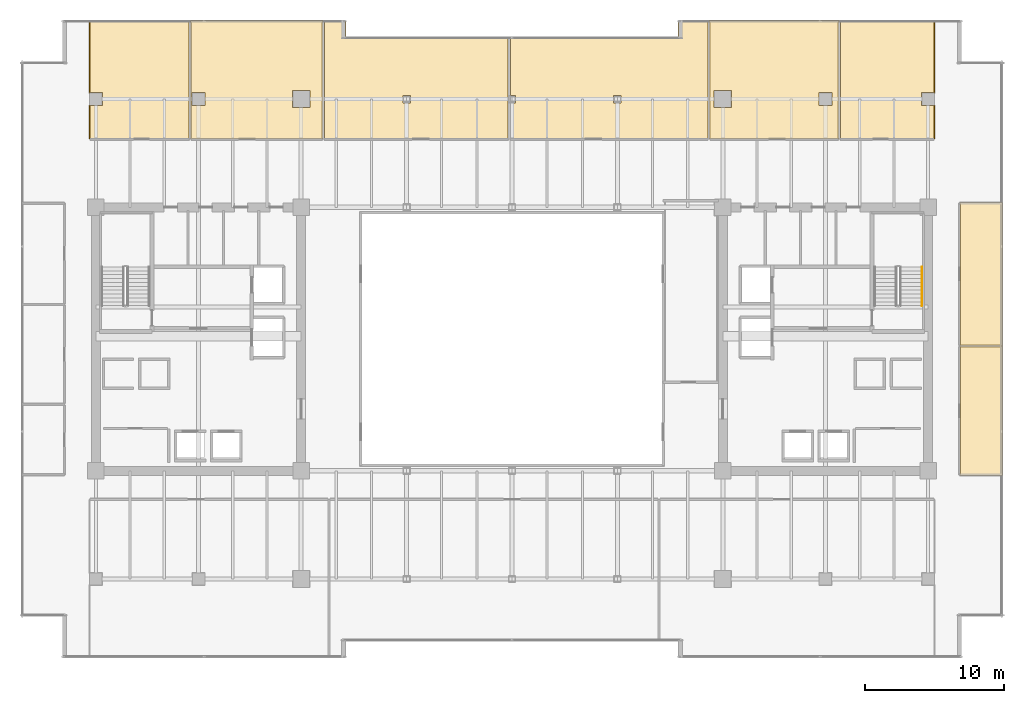
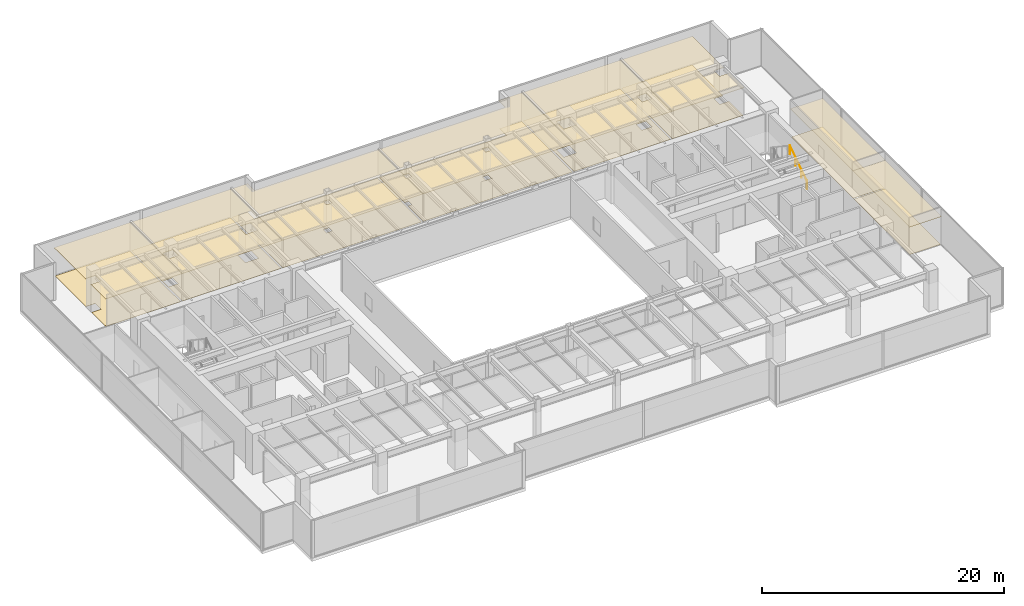
# One storey, part 33 of 33: 16 coverings, 1 railing.
"""IFC4 building model written with IfcOpenShell, lengths in metres."""

from ifc_helpers import new_model, si_unit, direction, frame, origin, origin_2d, place, context, subcontext, project, spatial, polyline, circle, outline, extrude, source, transform, mapped, material, layer, layer_set, type_object, type_shapes, element, save


model = new_model("IFC4")

# Units and contexts
model_context = context("Model", 3, precision=1e-05, world=origin(), true_north=direction((0.0, 1.0)))
body_context = subcontext(model_context, "Body", "Model", "MODEL_VIEW")
ifc_project = project(units=[si_unit("LENGTHUNIT", "METRE"), si_unit("AREAUNIT", "SQUARE_METRE"), si_unit("VOLUMEUNIT", "CUBIC_METRE"), si_unit("PLANEANGLEUNIT", "RADIAN"), si_unit("MASSUNIT", "GRAM", prefix="KILO")], contexts=[model_context])

# Site, building, storey
site_placement = place(None, origin())
site = spatial("IfcSite", under=ifc_project, at=site_placement, CompositionType="ELEMENT")
building_placement = place(site_placement, origin())
building = spatial("IfcBuilding", under=site, at=building_placement, Name="Haelvirn Gate Laboratories", CompositionType="ELEMENT")
storey_placement = place(building_placement, frame((0.0, 0.0, 137.89990234375)))
storey = spatial("IfcBuildingStorey", under=building, at=storey_placement, Name="L33", CompositionType="ELEMENT", Elevation=137.89990234375)

# Coverings
ifc_material_1 = material(Name="Washable cleanroom gasketed aluminium ceiling", Category="aluminium")
ifc_layer_1 = layer(ifc_material_1, 0.050048828125, Name="COV-CEIL-CLN")
ifc_layer_set_1 = layer_set([ifc_layer_1], Name="Washable cleanroom gasketed aluminium ceiling")
covering_type_1 = type_object("IfcCoveringType", Name="COV-CEIL-CLN", PredefinedType="CEILING", material=ifc_layer_set_1)
covering_1_placement = place(storey_placement, frame((0.0, 0.0, 2.81005859375)))
element("IfcCovering", 1, at=covering_1_placement, inside=storey, type_object=covering_type_1, Name="L33 Laboratory Acoustic Ceiling CEIL-SP-L33-N-01", PredefinedType="CEILING", context=body_context, shape_type="SweptSolid", body=[
    extrude(outline(polyline([(6.919921875, 42.010009765625), (6.919921875, 47.25), (14.179931640625, 47.25), (14.179931640625, 38.715087890625), (6.919921875, 38.715087890625), (6.919921875, 41.18994140625), (6.929931640625, 41.18994140625), (6.929931640625, 41.1298828125), (7.8701171875, 41.1298828125), (7.8701171875, 42.070068359375), (6.929931640625, 42.070068359375), (6.929931640625, 42.010009765625), (6.919921875, 42.010009765625)])), origin(), (0.0, 0.0, 1.0), 0.050048828125),
])
covering_2_placement = place(storey_placement, frame((0.0, 0.0, 2.81005859375)))
element("IfcCovering", 2, at=covering_2_placement, inside=storey, type_object=covering_type_1, Name="L33 Laboratory Acoustic Ceiling CEIL-SP-L33-N-02", PredefinedType="CEILING", context=body_context, shape_type="SweptSolid", body=[
    extrude(outline(polyline([(14.219970703125, 47.25), (23.780029296875, 47.25), (23.780029296875, 38.715087890625), (14.219970703125, 38.715087890625), (14.219970703125, 47.25)]), holes=[polyline([(14.330078125, 42.070068359375), (14.330078125, 41.1298828125), (15.27001953125, 41.1298828125), (15.27001953125, 42.070068359375), (14.330078125, 42.070068359375)]), polyline([(22.820068359375, 42.219970703125), (21.580078125, 42.219970703125), (21.580078125, 40.97998046875), (22.820068359375, 40.97998046875), (22.820068359375, 42.219970703125)])]), origin(), (0.0, 0.0, 1.0), 0.050048828125),
])
covering_3_placement = place(storey_placement, frame((0.0, 0.0, 2.81005859375)))
element("IfcCovering", 3, at=covering_3_placement, inside=storey, type_object=covering_type_1, Name="L33 Laboratory Acoustic Ceiling CEIL-SP-L33-N-03", PredefinedType="CEILING", context=body_context, shape_type="SweptSolid", body=[
    extrude(outline(polyline([(25.419921875, 46.1201171875), (37.179931640625, 46.1201171875), (37.179931640625, 41.8701171875), (37.1298828125, 41.8701171875), (37.1298828125, 41.330078125), (37.179931640625, 41.330078125), (37.179931640625, 38.715087890625), (23.820068359375, 38.715087890625), (23.820068359375, 47.25), (25.419921875, 47.25), (25.419921875, 46.1201171875)]), holes=[polyline([(29.530029296875, 41.8701171875), (29.530029296875, 41.330078125), (30.070068359375, 41.330078125), (30.070068359375, 41.8701171875), (29.530029296875, 41.8701171875)])]), origin(), (0.0, 0.0, 1.0), 0.050048828125),
])
covering_4_placement = place(storey_placement, frame((0.0, 0.0, 2.81005859375)))
element("IfcCovering", 4, at=covering_4_placement, inside=storey, type_object=covering_type_1, Name="L33 Laboratory Acoustic Ceiling CEIL-SP-L33-N-04", PredefinedType="CEILING", context=body_context, shape_type="SweptSolid", body=[
    extrude(outline(polyline([(49.3798828125, 46.1201171875), (49.3798828125, 47.25), (51.580078125, 47.25), (51.580078125, 38.715087890625), (37.219970703125, 38.715087890625), (37.219970703125, 41.330078125), (37.669921875, 41.330078125), (37.669921875, 41.8701171875), (37.219970703125, 41.8701171875), (37.219970703125, 46.1201171875), (49.3798828125, 46.1201171875)]), holes=[polyline([(45.27001953125, 41.8701171875), (44.72998046875, 41.8701171875), (44.72998046875, 41.330078125), (45.27001953125, 41.330078125), (45.27001953125, 41.8701171875)])]), origin(), (0.0, 0.0, 1.0), 0.050048828125),
])
covering_5_placement = place(storey_placement, frame((0.0, 0.0, 2.81005859375)))
element("IfcCovering", 5, at=covering_5_placement, inside=storey, type_object=covering_type_1, Name="L33 Laboratory Acoustic Ceiling CEIL-SP-L33-N-05", PredefinedType="CEILING", context=body_context, shape_type="SweptSolid", body=[
    extrude(outline(polyline([(51.6201171875, 47.25), (60.97998046875, 47.25), (60.97998046875, 38.715087890625), (51.6201171875, 38.715087890625), (51.6201171875, 47.25)]), holes=[polyline([(51.97998046875, 42.219970703125), (51.97998046875, 40.97998046875), (53.219970703125, 40.97998046875), (53.219970703125, 42.219970703125), (51.97998046875, 42.219970703125)]), polyline([(60.469970703125, 42.070068359375), (59.530029296875, 42.070068359375), (59.530029296875, 41.1298828125), (60.469970703125, 41.1298828125), (60.469970703125, 42.070068359375)])]), origin(), (0.0, 0.0, 1.0), 0.050048828125),
])
covering_6_placement = place(storey_placement, frame((0.0, 0.0, 2.81005859375)))
element("IfcCovering", 6, at=covering_6_placement, inside=storey, type_object=covering_type_1, Name="L33 Laboratory Acoustic Ceiling CEIL-SP-L33-N-06", PredefinedType="CEILING", context=body_context, shape_type="SweptSolid", body=[
    extrude(outline(polyline([(67.8798828125, 42.010009765625), (67.8701171875, 42.010009765625), (67.8701171875, 42.070068359375), (66.929931640625, 42.070068359375), (66.929931640625, 41.1298828125), (67.8701171875, 41.1298828125), (67.8701171875, 41.18994140625), (67.8798828125, 41.18994140625), (67.8798828125, 38.715087890625), (61.02001953125, 38.715087890625), (61.02001953125, 47.25), (67.8798828125, 47.25), (67.8798828125, 42.010009765625)])), origin(), (0.0, 0.0, 1.0), 0.050048828125),
])
covering_7_placement = place(storey_placement, frame((0.0, 0.0, 2.81005859375)))
element("IfcCovering", 7, at=covering_7_placement, inside=storey, type_object=covering_type_1, Name="L33 Laboratory Acoustic Ceiling CEIL-SP-L33-ECELL-01", PredefinedType="CEILING", context=body_context, shape_type="SweptSolid", body=[
    extrude(outline(polyline([(69.679931640625, 23.800048828125), (72.75, 23.800048828125), (72.75, 14.455078125), (69.679931640625, 14.455078125), (69.679931640625, 23.800048828125)])), origin(), (0.0, 0.0, 1.0), 0.050048828125),
])
covering_8_placement = place(storey_placement, frame((0.0, 0.0, 2.81005859375)))
element("IfcCovering", 8, at=covering_8_placement, inside=storey, type_object=covering_type_1, Name="L33 Laboratory Acoustic Ceiling CEIL-SP-L33-ECELL-02", PredefinedType="CEILING", context=body_context, shape_type="SweptSolid", body=[
    extrude(outline(polyline([(69.679931640625, 34.14501953125), (72.75, 34.14501953125), (72.75, 23.800048828125), (69.679931640625, 23.800048828125), (69.679931640625, 34.14501953125)])), origin(), (0.0, 0.0, 1.0), 0.050048828125),
])
ifc_material_2 = material(Name="Seamless chemical-resistant epoxy laboratory flooring")
ifc_layer_2 = layer(ifc_material_2, 0.01806640625, Name="COV-FLR-RESIN")
ifc_layer_set_2 = layer_set([ifc_layer_2], Name="Seamless chemical-resistant epoxy laboratory flooring")
covering_type_2 = type_object("IfcCoveringType", Name="COV-FLR-RESIN", PredefinedType="FLOORING", material=ifc_layer_set_2)
covering_9_placement = place(storey_placement, origin())
element("IfcCovering", 9, at=covering_9_placement, inside=storey, type_object=covering_type_2, Name="L33 Seamless Laboratory Flooring FLR-SP-L33-N-01", PredefinedType="FLOORING", context=body_context, shape_type="SweptSolid", body=[
    extrude(outline(polyline([(7.8701171875, 41.1298828125), (7.8701171875, 42.070068359375), (6.97998046875, 42.070068359375), (6.97998046875, 47.18994140625), (14.1201171875, 47.18994140625), (14.1201171875, 38.77490234375), (6.97998046875, 38.77490234375), (6.97998046875, 41.1298828125), (7.8701171875, 41.1298828125)])), origin(), (0.0, 0.0, 1.0), 0.01806640625),
])
covering_10_placement = place(storey_placement, origin())
element("IfcCovering", 10, at=covering_10_placement, inside=storey, type_object=covering_type_2, Name="L33 Seamless Laboratory Flooring FLR-SP-L33-N-02", PredefinedType="FLOORING", context=body_context, shape_type="SweptSolid", body=[
    extrude(outline(polyline([(23.719970703125, 38.77490234375), (14.280029296875, 38.77490234375), (14.280029296875, 47.18994140625), (23.719970703125, 47.18994140625), (23.719970703125, 38.77490234375)]), holes=[polyline([(14.330078125, 41.1298828125), (15.27001953125, 41.1298828125), (15.27001953125, 42.070068359375), (14.330078125, 42.070068359375), (14.330078125, 41.1298828125)]), polyline([(21.580078125, 42.219970703125), (21.580078125, 40.97998046875), (22.820068359375, 40.97998046875), (22.820068359375, 42.219970703125), (21.580078125, 42.219970703125)])]), origin(), (0.0, 0.0, 1.0), 0.01806640625),
])
covering_11_placement = place(storey_placement, origin())
element("IfcCovering", 11, at=covering_11_placement, inside=storey, type_object=covering_type_2, Name="L33 Seamless Laboratory Flooring FLR-SP-L33-N-03", PredefinedType="FLOORING", context=body_context, shape_type="SweptSolid", body=[
    extrude(outline(polyline([(23.8798828125, 47.18994140625), (25.360107421875, 47.18994140625), (25.360107421875, 46.10009765625), (25.360107421875, 46.09619140625), (25.36083984375, 46.09228515625), (25.36181640625, 46.08837890625), (25.363037109375, 46.084716796875), (25.36474609375, 46.0810546875), (25.36669921875, 46.077880859375), (25.369140625, 46.07470703125), (25.37158203125, 46.07177734375), (25.37451171875, 46.069091796875), (25.377685546875, 46.066650390625), (25.381103515625, 46.064697265625), (25.384765625, 46.06298828125), (25.388427734375, 46.061767578125), (25.39208984375, 46.060791015625), (25.39599609375, 46.060302734375), (25.39990234375, 46.06005859375), (37.1201171875, 46.06005859375), (37.1201171875, 38.77490234375), (23.8798828125, 38.77490234375), (23.8798828125, 47.18994140625)]), holes=[polyline([(29.530029296875, 41.8701171875), (29.530029296875, 41.330078125), (30.070068359375, 41.330078125), (30.070068359375, 41.8701171875), (29.530029296875, 41.8701171875)])]), origin(), (0.0, 0.0, 1.0), 0.01806640625),
])
covering_12_placement = place(storey_placement, origin())
element("IfcCovering", 12, at=covering_12_placement, inside=storey, type_object=covering_type_2, Name="L33 Seamless Laboratory Flooring FLR-SP-L33-N-04", PredefinedType="FLOORING", context=body_context, shape_type="SweptSolid", body=[
    extrude(outline(polyline([(37.280029296875, 41.330078125), (37.669921875, 41.330078125), (37.669921875, 41.8701171875), (37.280029296875, 41.8701171875), (37.280029296875, 46.06005859375), (49.39990234375, 46.06005859375), (49.40380859375, 46.060302734375), (49.40771484375, 46.060791015625), (49.41162109375, 46.061767578125), (49.415283203125, 46.06298828125), (49.4189453125, 46.064697265625), (49.422119140625, 46.066650390625), (49.42529296875, 46.069091796875), (49.42822265625, 46.07177734375), (49.430908203125, 46.07470703125), (49.433349609375, 46.077880859375), (49.435302734375, 46.0810546875), (49.43701171875, 46.084716796875), (49.438232421875, 46.08837890625), (49.439208984375, 46.09228515625), (49.439697265625, 46.09619140625), (49.43994140625, 46.10009765625), (49.43994140625, 47.18994140625), (51.52001953125, 47.18994140625), (51.52001953125, 38.77490234375), (37.280029296875, 38.77490234375), (37.280029296875, 41.330078125)]), holes=[polyline([(44.72998046875, 41.8701171875), (44.72998046875, 41.330078125), (45.27001953125, 41.330078125), (45.27001953125, 41.8701171875), (44.72998046875, 41.8701171875)])]), origin(), (0.0, 0.0, 1.0), 0.01806640625),
])
covering_13_placement = place(storey_placement, origin())
element("IfcCovering", 13, at=covering_13_placement, inside=storey, type_object=covering_type_2, Name="L33 Seamless Laboratory Flooring FLR-SP-L33-N-05", PredefinedType="FLOORING", context=body_context, shape_type="SweptSolid", body=[
    extrude(outline(polyline([(60.919921875, 38.77490234375), (51.679931640625, 38.77490234375), (51.679931640625, 47.18994140625), (60.919921875, 47.18994140625), (60.919921875, 38.77490234375)]), holes=[polyline([(51.97998046875, 40.97998046875), (53.219970703125, 40.97998046875), (53.219970703125, 42.219970703125), (51.97998046875, 42.219970703125), (51.97998046875, 40.97998046875)]), polyline([(59.530029296875, 42.070068359375), (59.530029296875, 41.1298828125), (60.469970703125, 41.1298828125), (60.469970703125, 42.070068359375), (59.530029296875, 42.070068359375)])]), origin(), (0.0, 0.0, 1.0), 0.01806640625),
])
covering_14_placement = place(storey_placement, origin())
element("IfcCovering", 14, at=covering_14_placement, inside=storey, type_object=covering_type_2, Name="L33 Seamless Laboratory Flooring FLR-SP-L33-N-06", PredefinedType="FLOORING", context=body_context, shape_type="SweptSolid", body=[
    extrude(outline(polyline([(67.820068359375, 47.18994140625), (67.820068359375, 42.070068359375), (66.929931640625, 42.070068359375), (66.929931640625, 41.1298828125), (67.820068359375, 41.1298828125), (67.820068359375, 38.77490234375), (61.080078125, 38.77490234375), (61.080078125, 47.18994140625), (67.820068359375, 47.18994140625)])), origin(), (0.0, 0.0, 1.0), 0.01806640625),
])
covering_15_placement = place(storey_placement, origin())
element("IfcCovering", 15, at=covering_15_placement, inside=storey, type_object=covering_type_2, Name="L33 Seamless Laboratory Flooring FLR-SP-L33-ECELL-01", PredefinedType="FLOORING", context=body_context, shape_type="SweptSolid", body=[
    extrude(outline(polyline([(69.739990234375, 23.739990234375), (72.68994140625, 23.739990234375), (72.68994140625, 14.514892578125), (69.739990234375, 14.514892578125), (69.739990234375, 23.739990234375)])), origin(), (0.0, 0.0, 1.0), 0.01806640625),
])
covering_16_placement = place(storey_placement, origin())
element("IfcCovering", 16, at=covering_16_placement, inside=storey, type_object=covering_type_2, Name="L33 Seamless Laboratory Flooring FLR-SP-L33-ECELL-02", PredefinedType="FLOORING", context=body_context, shape_type="SweptSolid", body=[
    extrude(outline(polyline([(69.739990234375, 34.0849609375), (72.68994140625, 34.0849609375), (72.68994140625, 23.860107421875), (69.739990234375, 23.860107421875), (69.739990234375, 34.0849609375)])), origin(), (0.0, 0.0, 1.0), 0.01806640625),
])

# Railing
ifc_material_3 = material(Name="Brushed stainless steel 316L", Category="steel")
railing_type = type_object("IfcRailingType", Name="RL-HAND-920", PredefinedType="HANDRAIL", material=ifc_material_3)
shared_shape = source(origin(), body_context, "Body", "SweptSolid", [
    extrude(circle(Radius=0.02392578125, at=origin_2d()), frame((0.0, 0.0, 0.8759765625), z_axis=(0.0, 0.832485552168, 0.554046753832), x_axis=(-1.0, 0.0, 0.0)), (0.0, 0.0, 1.0), 3.363525390625),
    extrude(circle(Radius=0.02099609375, at=origin_2d()), origin(), (0.0, 0.0, 1.0), 0.851806640625),
    extrude(circle(Radius=0.02099609375, at=origin_2d()), frame((0.0, 0.933349609375, 0.62109375)), (0.0, 0.0, 1.0), 0.851806640625),
    extrude(circle(Radius=0.02099609375, at=origin_2d()), frame((0.0, 1.86669921875, 1.242431640625)), (0.0, 0.0, 1.0), 0.851806640625),
    extrude(circle(Radius=0.02099609375, at=origin_2d()), frame((0.0, 2.800048828125, 1.863525390625)), (0.0, 0.0, 1.0), 0.851806640625),
])
type_shapes(railing_type, [shared_shape])
railing_placement = place(storey_placement, frame((66.949951171875, 26.699951171875, 0.1865234375)))
element("IfcRailing", 17, at=railing_placement, inside=storey, type_object=railing_type, Name="L33 ST2 stair handrail 1", PredefinedType="HANDRAIL", context=body_context, shape_type="MappedRepresentation", body=[
    mapped(shared_shape, transform((0.0, 0.0, 0.0), scale=1.0)),
])

save(model, "model.ifc")
